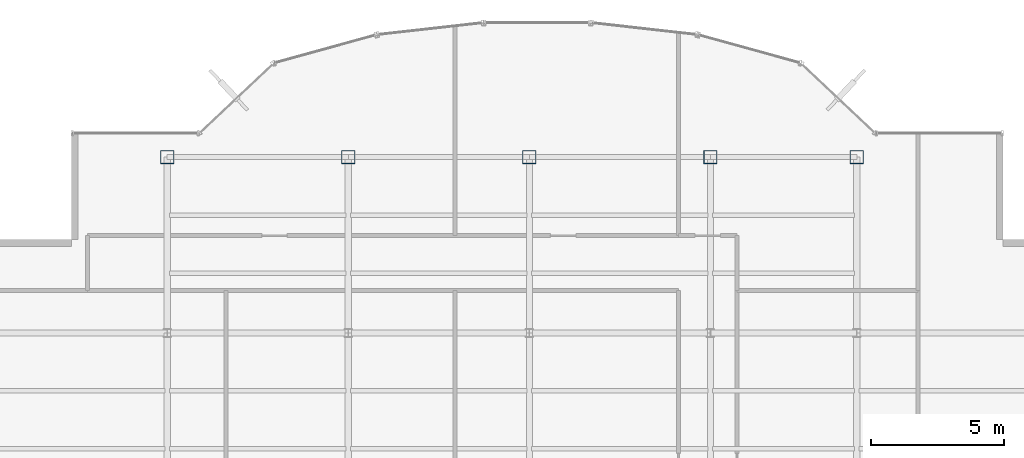
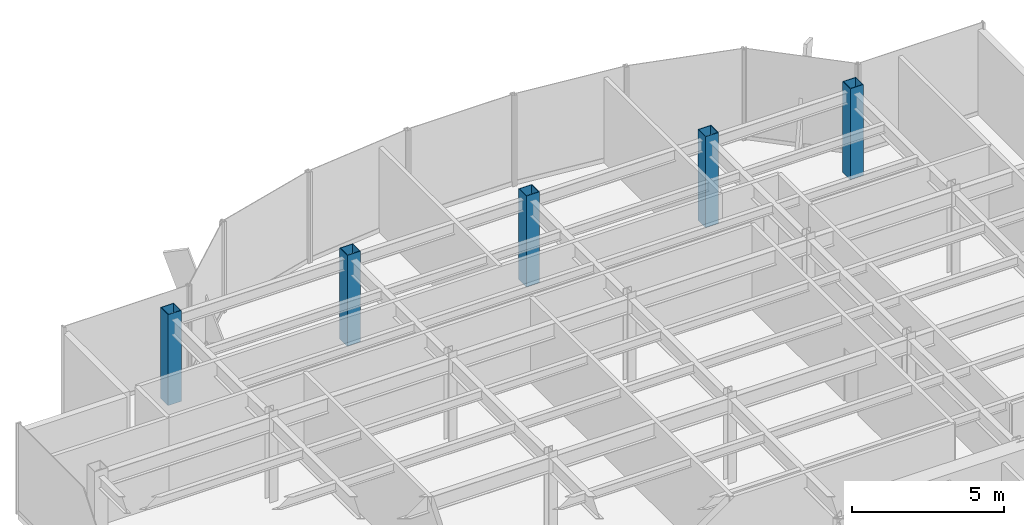
# One storey, part 2 of 22: 5 columns.
"""IFC4 building model written with IfcOpenShell, lengths in metres."""

from ifc_helpers import new_model, si_unit, derived_unit, direction, frame, origin, origin_2d, place, context, subcontext, project, spatial, hollow_rectangle, extrude, source, transform, mapped, material, material_profile, profile_set, type_object, element, save


model = new_model("IFC4")

# Units and contexts
model_context = context("Model", 3, precision=1e-05, world=origin(), true_north=direction((0.0, 1.0)))
body_context = subcontext(model_context, "Body", "Model", "MODEL_VIEW")
ifc_project = project(units=[si_unit("LENGTHUNIT", "METRE"), si_unit("AREAUNIT", "SQUARE_METRE"), si_unit("VOLUMEUNIT", "CUBIC_METRE"), si_unit("PLANEANGLEUNIT", "RADIAN"), si_unit("MASSUNIT", "GRAM", prefix="KILO"), derived_unit("THERMALTRANSMITTANCEUNIT", [(si_unit("POWERUNIT", "WATT"), 1), (si_unit("LENGTHUNIT", "METRE"), -2), (si_unit("THERMODYNAMICTEMPERATUREUNIT", "KELVIN"), -1)])], contexts=[model_context])

# Site, building, storey
site_placement = place(None, origin())
site = spatial("IfcSite", under=ifc_project, at=site_placement, CompositionType="ELEMENT")
building_placement = place(site_placement, origin())
building = spatial("IfcBuilding", under=site, at=building_placement, Name="Skarnbrae Concourse Arena and Tower", CompositionType="ELEMENT")
storey_placement = place(building_placement, frame((0.0, 0.0, 203.199951171875)))
storey = spatial("IfcBuildingStorey", under=building, at=storey_placement, Name="L52", CompositionType="ELEMENT", Elevation=203.199951171875)

# Columns
ifc_material = material(Name="Steel CSA G40.21 350W", Category="steel")
ifc_material_profile = material_profile(ifc_material, hollow_rectangle(XDim=0.5, YDim=0.5, WallThickness=0.02197265625, at=origin_2d()), Name="HSS500X500X22.0")
ifc_profile_set = profile_set([ifc_material_profile], Name="Steel CSA G40.21 350W")
column_type = type_object("IfcColumnType", Name="COL-TUBE-HSS500", PredefinedType="COLUMN", material=ifc_profile_set)
shared_shape = source(origin(), body_context, "Body", "SweptSolid", [
    extrude(hollow_rectangle(XDim=0.5, YDim=0.5, WallThickness=0.02197265625, at=origin_2d()), origin(), (0.0, 0.0, 1.0), 3.650146484375),
])
for number, where, z_axis, x_axis, name in (
    (1, (7.60009765625, 34.39990234375, 0.0), (0.0, 0.0, 1.0), (1.0, 0.0, 0.0), "L52 Tower column PC_02_05"),
    (2, (14.39990234375, 34.39990234375, 0.0), (0.0, 0.0, 1.0), (1.0, 0.0, 0.0), "L52 Tower column PC_03_05"),
    (3, (21.199951171875, 34.39990234375, 0.0), (0.0, 0.0, 1.0), (1.0, 0.0, 0.0), "L52 Tower column PC_04_05"),
    (4, (28.0, 34.39990234375, 0.0), (0.0, 0.0, 1.0), (1.0, 0.0, 0.0), "L52 Tower column PC_05_05"),
    (5, (33.5, 34.39990234375, 0.0), (0.0, 0.0, 1.0), (1.0, 0.0, 0.0), "L52 Tower column PC_06_05"),
):
    element("IfcColumn", number, at=place(storey_placement, frame(where, z_axis=z_axis, x_axis=x_axis)), inside=storey, type_object=column_type, Name=name, PredefinedType="COLUMN", context=body_context, shape_type="MappedRepresentation", body=[
        mapped(shared_shape, transform((0.0, 0.0, 0.0))),
    ])

save(model, "model.ifc")
